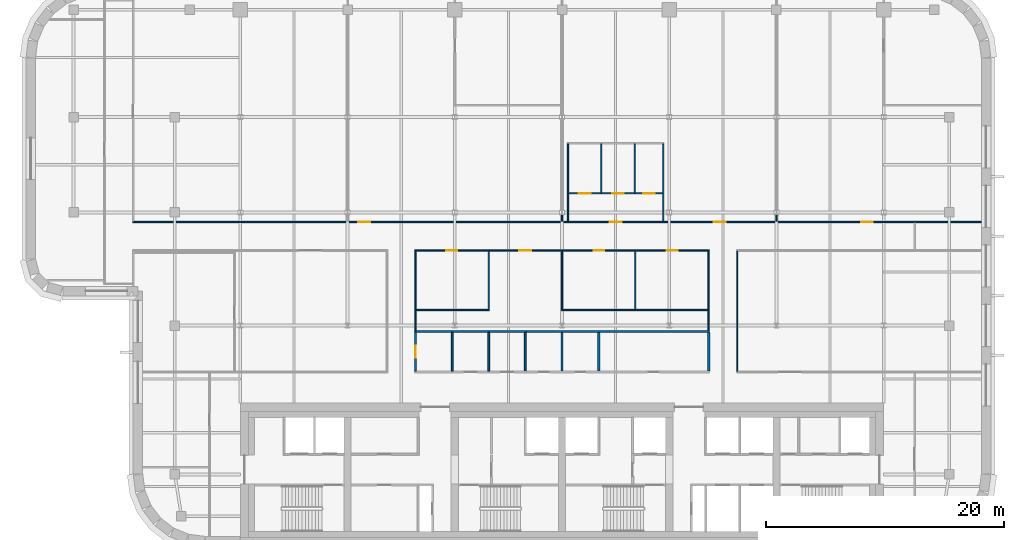
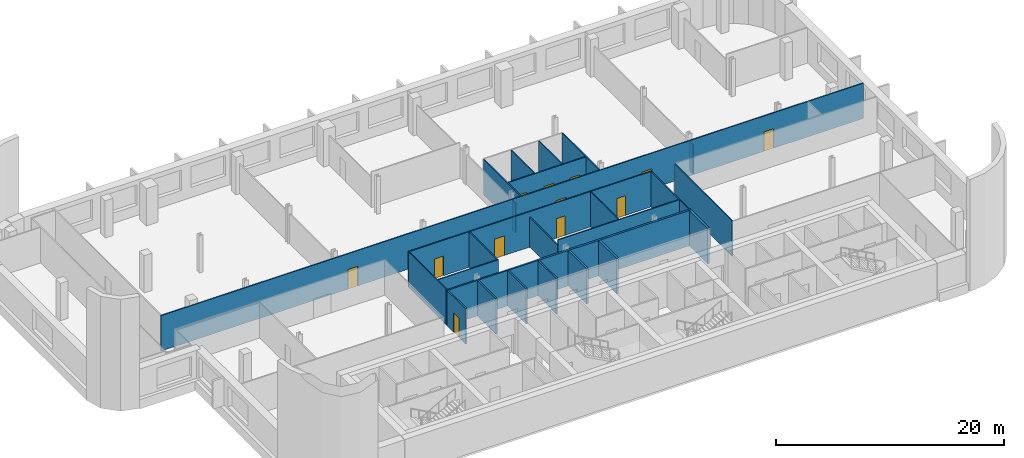
# One storey, part 9 of 16: 26 walls, 12 doors, 12 openings.
"""IFC4 building model written with IfcOpenShell, lengths in metres."""

from ifc_helpers import new_model, si_unit, direction, frame, frame_2d, origin, place, context, subcontext, project, spatial, rectangle, extrude, material, layer, layer_set, type_object, element, fill, save


model = new_model("IFC4")

# Units and contexts
model_context = context("Model", 3, precision=1e-05, world=origin(), true_north=direction((0.0, 1.0)))
body_context = subcontext(model_context, "Body", "Model", "MODEL_VIEW")
ifc_project = project(units=[si_unit("LENGTHUNIT", "METRE"), si_unit("AREAUNIT", "SQUARE_METRE"), si_unit("VOLUMEUNIT", "CUBIC_METRE"), si_unit("PLANEANGLEUNIT", "RADIAN"), si_unit("MASSUNIT", "GRAM", prefix="KILO")], contexts=[model_context])

# Site, building, storey
site_placement = place(None, origin())
site = spatial("IfcSite", under=ifc_project, at=site_placement, CompositionType="ELEMENT")
building_placement = place(site_placement, origin())
building = spatial("IfcBuilding", under=site, at=building_placement, Name="Zellij Exchange Tower", CompositionType="ELEMENT")
storey_placement = place(building_placement, frame((0.0, 0.0, 244.5)))
storey = spatial("IfcBuildingStorey", under=building, at=storey_placement, Name="L57", CompositionType="ELEMENT", Elevation=244.5)

# Walls
ifc_material_1 = material(Name="Blockwork partition", Category="masonry")
ifc_layer_1 = layer(ifc_material_1, 0.199951171875)
ifc_layer_set_1 = layer_set([ifc_layer_1], Name="Blockwork partition")
wall_type_1 = type_object("IfcWallType", Name="FIT-BLOCKWORK-200", PredefinedType="PARTITIONING", material=ifc_layer_set_1)
for number, where, z_axis, x_axis, name in (
    (1, (0.0, 0.699951171875, 0.0), (0.0, 0.0, 1.0), (0.0, 1.0, 0.0), "FIT-BLOCKWORK-200 013"),
    (2, (3.080078125, 0.699951171875, 0.0), (0.0, 0.0, 1.0), (0.0, 1.0, 0.0), "FIT-BLOCKWORK-200 014"),
    (3, (12.300048828125, 0.699951171875, 0.0), (0.0, 0.0, 1.0), (0.0, 1.0, 0.0), "FIT-BLOCKWORK-200 015"),
):
    element("IfcWall", number, at=place(storey_placement, frame(where, z_axis=z_axis, x_axis=x_axis)), inside=storey, type_object=wall_type_1, Name=name, PredefinedType="PARTITIONING", context=body_context, shape_type="SweptSolid", body=[
        extrude(rectangle(XDim=3.199951171875, YDim=0.199951171875, at=frame_2d((1.60009765625, 0.0))), origin(), (0.0, 0.0, 1.0), 3.800048828125),
    ])
wall_1_placement = place(storey_placement, frame((-3.155029296875, 4.0, 0.0), z_axis=(0.0, 0.0, 1.0), x_axis=(1.0, 0.0, 0.0)))
element("IfcWall", 4, at=wall_1_placement, inside=storey, type_object=wall_type_1, Name="FIT-BLOCKWORK-200 020", PredefinedType="PARTITIONING", context=body_context, shape_type="SweptSolid", body=[
    extrude(rectangle(XDim=15.554931640625, YDim=0.199951171875, at=frame_2d((7.77734375, 0.0))), origin(), (0.0, 0.0, 1.0), 3.800048828125),
])
ifc_material_2 = material(Name="Gypsum board partition on steel studs", Category="steel")
ifc_layer_2 = layer(ifc_material_2, 0.10009765625)
ifc_layer_set_2 = layer_set([ifc_layer_2], Name="Gypsum board partition on steel studs")
wall_type_2 = type_object("IfcWallType", Name="FIT-PARTITION-100", PredefinedType="PARTITIONING", material=ifc_layer_set_2)
wall_2_placement = place(storey_placement, frame((14.699951171875, 0.64990234375, 0.0), z_axis=(0.0, 0.0, 1.0), x_axis=(0.0, 1.0, 0.0)))
element("IfcWall", 5, at=wall_2_placement, inside=storey, type_object=wall_type_2, Name="FIT-PARTITION-100 017", PredefinedType="PARTITIONING", context=body_context, shape_type="SweptSolid", body=[
    extrude(rectangle(XDim=10.10009765625, YDim=0.10009765625, at=frame_2d((5.050048828125, 0.0))), origin(), (0.0, 0.0, 1.0), 3.800048828125),
])
wall_3_placement = place(storey_placement, frame((-12.300048828125, 4.074951171875, 0.0), z_axis=(0.0, 0.0, 1.0), x_axis=(0.0, 1.0, 0.0)))
element("IfcWall", 6, at=wall_3_placement, inside=storey, type_object=wall_type_2, Name="FIT-PARTITION-100 019", PredefinedType="PARTITIONING", context=body_context, shape_type="SweptSolid", body=[
    extrude(rectangle(XDim=6.675048828125, YDim=0.10009765625, at=frame_2d((3.33740234375, 0.0))), origin(), (0.0, 0.0, 1.0), 3.800048828125),
])
wall_4_placement = place(storey_placement, frame((12.300048828125, 4.10009765625, 0.0), z_axis=(0.0, 0.0, 1.0), x_axis=(0.0, 1.0, 0.0)))
element("IfcWall", 7, at=wall_4_placement, inside=storey, type_object=wall_type_2, Name="FIT-PARTITION-100 021", PredefinedType="PARTITIONING", context=body_context, shape_type="SweptSolid", body=[
    extrude(rectangle(XDim=6.64990234375, YDim=0.10009765625, at=frame_2d((3.324951171875, 0.0))), origin(), (0.0, 0.0, 1.0), 3.800048828125),
])
wall_5_placement = place(storey_placement, frame((-12.25, 5.800048828125, 0.0), z_axis=(0.0, 0.0, 1.0), x_axis=(1.0, 0.0, 0.0)))
element("IfcWall", 8, at=wall_5_placement, inside=storey, type_object=wall_type_2, Name="FIT-PARTITION-100 022", PredefinedType="PARTITIONING", context=body_context, shape_type="SweptSolid", body=[
    extrude(rectangle(XDim=6.14990234375, YDim=0.10009765625, at=frame_2d((3.074951171875, 0.0))), origin(), (0.0, 0.0, 1.0), 3.800048828125),
])
wall_6_placement = place(storey_placement, frame((-6.14990234375, 5.85009765625, 0.0), z_axis=(0.0, 0.0, 1.0), x_axis=(0.0, 1.0, 0.0)))
element("IfcWall", 9, at=wall_6_placement, inside=storey, type_object=wall_type_2, Name="FIT-PARTITION-100 023", PredefinedType="PARTITIONING", context=body_context, shape_type="SweptSolid", body=[
    extrude(rectangle(XDim=4.89990234375, YDim=0.10009765625, at=frame_2d((2.449951171875, 0.0))), origin(), (0.0, 0.0, 1.0), 3.800048828125),
])
wall_7_placement = place(storey_placement, frame((-0.050048828125, 5.800048828125, 0.0), z_axis=(0.0, 0.0, 1.0), x_axis=(1.0, 0.0, 0.0)))
element("IfcWall", 10, at=wall_7_placement, inside=storey, type_object=wall_type_2, Name="FIT-PARTITION-100 024", PredefinedType="PARTITIONING", context=body_context, shape_type="SweptSolid", body=[
    extrude(rectangle(XDim=12.300048828125, YDim=0.10009765625, at=frame_2d((6.14990234375, 0.0))), origin(), (0.0, 0.0, 1.0), 3.800048828125),
])
wall_8_placement = place(storey_placement, frame((0.0, 5.85009765625, 0.0), z_axis=(0.0, 0.0, 1.0), x_axis=(0.0, 1.0, 0.0)))
element("IfcWall", 11, at=wall_8_placement, inside=storey, type_object=wall_type_2, Name="FIT-PARTITION-100 025", PredefinedType="PARTITIONING", context=body_context, shape_type="SweptSolid", body=[
    extrude(rectangle(XDim=4.89990234375, YDim=0.10009765625, at=frame_2d((2.449951171875, 0.0))), origin(), (0.0, 0.0, 1.0), 3.19287109375),
])
wall_9_placement = place(storey_placement, frame((6.14990234375, 5.85009765625, 0.0), z_axis=(0.0, 0.0, 1.0), x_axis=(0.0, 1.0, 0.0)))
element("IfcWall", 12, at=wall_9_placement, inside=storey, type_object=wall_type_2, Name="FIT-PARTITION-100 026", PredefinedType="PARTITIONING", context=body_context, shape_type="SweptSolid", body=[
    extrude(rectangle(XDim=4.89990234375, YDim=0.10009765625, at=frame_2d((2.449951171875, 0.0))), origin(), (0.0, 0.0, 1.0), 3.800048828125),
])

# Wall, openings, doors
wall_10_placement = place(storey_placement, frame((-12.35009765625, 10.800048828125, 0.0), z_axis=(0.0, 0.0, 1.0), x_axis=(1.0, 0.0, 0.0)))
wall_10 = element("IfcWall", 13, at=wall_10_placement, inside=storey, type_object=wall_type_2, Name="FIT-PARTITION-100 033", PredefinedType="PARTITIONING", context=body_context, shape_type="SweptSolid", body=[
    extrude(rectangle(XDim=24.7001953125, YDim=0.10009765625, at=frame_2d((12.35009765625, 0.0))), origin(), (0.0, 0.0, 1.0), 3.800048828125),
])
opening_1_placement = place(wall_10_placement, frame((2.64990234375, 0.0, 0.0)))
opening_1 = element("IfcOpeningElement", 14, at=opening_1_placement, cuts=wall_10, Name="Opening O4D.12", PredefinedType="OPENING", context=body_context, shape_type="SweptSolid", body=[
    extrude(rectangle(XDim=0.89990234375, YDim=2.10009765625, at=frame_2d((0.449951171875, 1.050048828125))), frame((0.0, 0.06201171875, 0.0), z_axis=(0.0, -1.0, 0.0), x_axis=(1.0, 0.0, 0.0)), (0.0, 0.0, 1.0), 0.1240234375),
])
opening_2_placement = place(wall_10_placement, frame((8.75, 0.0, 0.0)))
opening_2 = element("IfcOpeningElement", 15, at=opening_2_placement, cuts=wall_10, Name="Opening O4D.13", PredefinedType="OPENING", context=body_context, shape_type="SweptSolid", body=[
    extrude(rectangle(XDim=1.0, YDim=2.10009765625, at=frame_2d((0.5, 1.050048828125))), frame((0.0, 0.06201171875, 0.0), z_axis=(0.0, -1.0, 0.0), x_axis=(1.0, 0.0, 0.0)), (0.0, 0.0, 1.0), 0.1240234375),
])
opening_3_placement = place(wall_10_placement, frame((15.0, 0.0, 0.0)))
opening_3 = element("IfcOpeningElement", 16, at=opening_3_placement, cuts=wall_10, Name="Opening O4D.14", PredefinedType="OPENING", context=body_context, shape_type="SweptSolid", body=[
    extrude(rectangle(XDim=0.89990234375, YDim=2.10009765625, at=frame_2d((0.449951171875, 1.050048828125))), frame((0.0, 0.06201171875, 0.0), z_axis=(0.0, -1.0, 0.0), x_axis=(1.0, 0.0, 0.0)), (0.0, 0.0, 1.0), 0.1240234375),
])
opening_4_placement = place(wall_10_placement, frame((21.14990234375, 0.0, 0.0)))
opening_4 = element("IfcOpeningElement", 17, at=opening_4_placement, cuts=wall_10, Name="Opening O4D.15", PredefinedType="OPENING", context=body_context, shape_type="SweptSolid", body=[
    extrude(rectangle(XDim=0.89990234375, YDim=2.10009765625, at=frame_2d((0.449951171875, 1.050048828125))), frame((0.0, 0.06201171875, 0.0), z_axis=(0.0, -1.0, 0.0), x_axis=(1.0, 0.0, 0.0)), (0.0, 0.0, 1.0), 0.1240234375),
])
ifc_material_3 = material(Name="Timber door set", Category="wood")
door_type_1 = type_object("IfcDoorType", Name="FIT-D1-ROOM-900X2100", OperationType="SINGLE_SWING_LEFT", PredefinedType="DOOR", material=ifc_material_3)
door_1_placement = place(opening_1_placement, origin())
door_1 = element("IfcDoor", 18, at=door_1_placement, inside=storey, type_object=door_type_1, Name="Door O4D.12", OperationType="SINGLE_SWING_LEFT", OverallHeight=2.10009765625, OverallWidth=0.89990234375, PredefinedType="DOOR", context=body_context, shape_type="SweptSolid", body=[
    extrude(rectangle(XDim=0.89990234375, YDim=2.10009765625, at=frame_2d((0.449951171875, 1.050048828125))), frame((0.0, 0.02490234375, 0.0), z_axis=(0.0, -1.0, 0.0), x_axis=(1.0, 0.0, 0.0)), (0.0, 0.0, 1.0), 0.050048828125),
])
fill(opening_1, door_1)
door_2_placement = place(opening_3_placement, origin())
door_2 = element("IfcDoor", 19, at=door_2_placement, inside=storey, type_object=door_type_1, Name="Door O4D.14", OperationType="SINGLE_SWING_RIGHT", OverallHeight=2.10009765625, OverallWidth=0.89990234375, PredefinedType="DOOR", context=body_context, shape_type="SweptSolid", body=[
    extrude(rectangle(XDim=0.89990234375, YDim=2.10009765625, at=frame_2d((0.449951171875, 1.050048828125))), frame((0.0, 0.02490234375, 0.0), z_axis=(0.0, -1.0, 0.0), x_axis=(1.0, 0.0, 0.0)), (0.0, 0.0, 1.0), 0.050048828125),
])
fill(opening_3, door_2)
door_3_placement = place(opening_4_placement, origin())
door_3 = element("IfcDoor", 20, at=door_3_placement, inside=storey, type_object=door_type_1, Name="Door O4D.15", OperationType="SINGLE_SWING_RIGHT", OverallHeight=2.10009765625, OverallWidth=0.89990234375, PredefinedType="DOOR", context=body_context, shape_type="SweptSolid", body=[
    extrude(rectangle(XDim=0.89990234375, YDim=2.10009765625, at=frame_2d((0.449951171875, 1.050048828125))), frame((0.0, 0.02490234375, 0.0), z_axis=(0.0, -1.0, 0.0), x_axis=(1.0, 0.0, 0.0)), (0.0, 0.0, 1.0), 0.050048828125),
])
fill(opening_4, door_3)
door_type_2 = type_object("IfcDoorType", Name="FIT-D2-WIDE-1000X2100", OperationType="SINGLE_SWING_LEFT", PredefinedType="DOOR", material=ifc_material_3)
door_4_placement = place(opening_2_placement, origin())
door_4 = element("IfcDoor", 21, at=door_4_placement, inside=storey, type_object=door_type_2, Name="Door O4D.13", OperationType="SINGLE_SWING_LEFT", OverallHeight=2.10009765625, OverallWidth=1.0, PredefinedType="DOOR", context=body_context, shape_type="SweptSolid", body=[
    extrude(rectangle(XDim=1.0, YDim=2.10009765625, at=frame_2d((0.5, 1.050048828125))), frame((0.0, 0.02490234375, 0.0), z_axis=(0.0, -1.0, 0.0), x_axis=(1.0, 0.0, 0.0)), (0.0, 0.0, 1.0), 0.050048828125),
])
fill(opening_2, door_4)

wall_11_placement = place(storey_placement, frame((-36.050048828125, 13.199951171875, 0.0), z_axis=(0.0, 0.0, 1.0), x_axis=(1.0, 0.0, 0.0)))
wall_11 = element("IfcWall", 22, at=wall_11_placement, inside=storey, type_object=wall_type_2, Name="FIT-PARTITION-100 036", PredefinedType="PARTITIONING", context=body_context, shape_type="SweptSolid", body=[
    extrude(rectangle(XDim=71.25, YDim=0.10009765625, at=frame_2d((35.625, 0.0))), origin(), (0.0, 0.0, 1.0), 3.800048828125),
])
opening_5_placement = place(wall_11_placement, frame((18.949951171875, 0.0, 0.0)))
opening_5 = element("IfcOpeningElement", 23, at=opening_5_placement, cuts=wall_11, Name="Opening O4D.16", PredefinedType="OPENING", context=body_context, shape_type="SweptSolid", body=[
    extrude(rectangle(XDim=1.0, YDim=2.10009765625, at=frame_2d((0.5, 1.050048828125))), frame((0.0, 0.06201171875, 0.0), z_axis=(0.0, -1.0, 0.0), x_axis=(1.0, 0.0, 0.0)), (0.0, 0.0, 1.0), 0.1240234375),
])
opening_6_placement = place(wall_11_placement, frame((40.050048828125, 0.0, 0.0)))
opening_6 = element("IfcOpeningElement", 24, at=opening_6_placement, cuts=wall_11, Name="Opening O4D.17", PredefinedType="OPENING", context=body_context, shape_type="SweptSolid", body=[
    extrude(rectangle(XDim=1.0, YDim=2.10009765625, at=frame_2d((0.5, 1.050048828125))), frame((0.0, 0.06201171875, 0.0), z_axis=(0.0, -1.0, 0.0), x_axis=(1.0, 0.0, 0.0)), (0.0, 0.0, 1.0), 0.1240234375),
])
opening_7_placement = place(wall_11_placement, frame((48.800048828125, 0.0, 0.0)))
opening_7 = element("IfcOpeningElement", 25, at=opening_7_placement, cuts=wall_11, Name="Opening O4D.18", PredefinedType="OPENING", context=body_context, shape_type="SweptSolid", body=[
    extrude(rectangle(XDim=1.0, YDim=2.10009765625, at=frame_2d((0.5, 1.050048828125))), frame((0.0, 0.06201171875, 0.0), z_axis=(0.0, -1.0, 0.0), x_axis=(1.0, 0.0, 0.0)), (0.0, 0.0, 1.0), 0.1240234375),
])
opening_8_placement = place(wall_11_placement, frame((61.14990234375, 0.0, 0.0)))
opening_8 = element("IfcOpeningElement", 26, at=opening_8_placement, cuts=wall_11, Name="Opening O4D.19", PredefinedType="OPENING", context=body_context, shape_type="SweptSolid", body=[
    extrude(rectangle(XDim=1.0, YDim=2.10009765625, at=frame_2d((0.5, 1.050048828125))), frame((0.0, 0.06201171875, 0.0), z_axis=(0.0, -1.0, 0.0), x_axis=(1.0, 0.0, 0.0)), (0.0, 0.0, 1.0), 0.1240234375),
])
door_5_placement = place(opening_5_placement, origin())
door_5 = element("IfcDoor", 27, at=door_5_placement, inside=storey, type_object=door_type_2, Name="Door O4D.16", OperationType="SINGLE_SWING_RIGHT", OverallHeight=2.10009765625, OverallWidth=1.0, PredefinedType="DOOR", context=body_context, shape_type="SweptSolid", body=[
    extrude(rectangle(XDim=1.0, YDim=2.10009765625, at=frame_2d((0.5, 1.050048828125))), frame((0.0, 0.02490234375, 0.0), z_axis=(0.0, -1.0, 0.0), x_axis=(1.0, 0.0, 0.0)), (0.0, 0.0, 1.0), 0.050048828125),
])
fill(opening_5, door_5)
door_6_placement = place(opening_6_placement, origin())
door_6 = element("IfcDoor", 28, at=door_6_placement, inside=storey, type_object=door_type_2, Name="Door O4D.17", OperationType="SINGLE_SWING_RIGHT", OverallHeight=2.10009765625, OverallWidth=1.0, PredefinedType="DOOR", context=body_context, shape_type="SweptSolid", body=[
    extrude(rectangle(XDim=1.0, YDim=2.10009765625, at=frame_2d((0.5, 1.050048828125))), frame((0.0, 0.02490234375, 0.0), z_axis=(0.0, -1.0, 0.0), x_axis=(1.0, 0.0, 0.0)), (0.0, 0.0, 1.0), 0.050048828125),
])
fill(opening_6, door_6)
door_7_placement = place(opening_7_placement, origin())
door_7 = element("IfcDoor", 29, at=door_7_placement, inside=storey, type_object=door_type_2, Name="Door O4D.18", OperationType="SINGLE_SWING_RIGHT", OverallHeight=2.10009765625, OverallWidth=1.0, PredefinedType="DOOR", context=body_context, shape_type="SweptSolid", body=[
    extrude(rectangle(XDim=1.0, YDim=2.10009765625, at=frame_2d((0.5, 1.050048828125))), frame((0.0, 0.02490234375, 0.0), z_axis=(0.0, -1.0, 0.0), x_axis=(1.0, 0.0, 0.0)), (0.0, 0.0, 1.0), 0.050048828125),
])
fill(opening_7, door_7)
door_8_placement = place(opening_8_placement, origin())
door_8 = element("IfcDoor", 30, at=door_8_placement, inside=storey, type_object=door_type_2, Name="Door O4D.19", OperationType="SINGLE_SWING_LEFT", OverallHeight=2.10009765625, OverallWidth=1.0, PredefinedType="DOOR", context=body_context, shape_type="SweptSolid", body=[
    extrude(rectangle(XDim=1.0, YDim=2.10009765625, at=frame_2d((0.5, 1.050048828125))), frame((0.0, 0.02490234375, 0.0), z_axis=(0.0, -1.0, 0.0), x_axis=(1.0, 0.0, 0.0)), (0.0, 0.0, 1.0), 0.050048828125),
])
fill(opening_8, door_8)

# Walls
wall_12_placement = place(storey_placement, frame((0.0, 13.25, 0.0), z_axis=(0.0, 0.0, 1.0), x_axis=(0.0, 1.0, 0.0)))
element("IfcWall", 31, at=wall_12_placement, inside=storey, type_object=wall_type_2, Name="FIT-PARTITION-100 042", PredefinedType="PARTITIONING", context=body_context, shape_type="SweptSolid", body=[
    extrude(rectangle(XDim=0.556884765625, YDim=0.10009765625, at=frame_2d((0.2783203125, 0.0))), origin(), (0.0, 0.0, 1.0), 3.19287109375),
])
for number, where, z_axis, x_axis, name in (
    (32, (0.5, 13.25, 0.0), (0.0, 0.0, 1.0), (0.0, 1.0, 0.0), "FIT-PARTITION-100 046"),
    (33, (8.5, 13.25, 0.0), (0.0, 0.0, 1.0), (0.0, 1.0, 0.0), "FIT-PARTITION-100 047"),
):
    element("IfcWall", number, at=place(storey_placement, frame(where, z_axis=z_axis, x_axis=x_axis)), inside=storey, type_object=wall_type_2, Name=name, PredefinedType="PARTITIONING", context=body_context, shape_type="SweptSolid", body=[
        extrude(rectangle(XDim=6.5, YDim=0.10009765625, at=frame_2d((3.25, 0.0))), origin(), (0.0, 0.0, 1.0), 3.800048828125),
    ])
wall_13_placement = place(storey_placement, frame((18.0, 13.25, 0.0), z_axis=(0.0, 0.0, 1.0), x_axis=(0.0, 1.0, 0.0)))
element("IfcWall", 34, at=wall_13_placement, inside=storey, type_object=wall_type_2, Name="FIT-PARTITION-100 048", PredefinedType="PARTITIONING", context=body_context, shape_type="SweptSolid", body=[
    extrude(rectangle(XDim=0.556884765625, YDim=0.10009765625, at=frame_2d((0.2783203125, 0.0))), origin(), (0.0, 0.0, 1.0), 3.19287109375),
])

# Wall, openings, doors
wall_14_placement = place(storey_placement, frame((0.550048828125, 15.60009765625, 0.0), z_axis=(0.0, 0.0, 1.0), x_axis=(1.0, 0.0, 0.0)))
wall_14 = element("IfcWall", 35, at=wall_14_placement, inside=storey, type_object=wall_type_2, Name="FIT-PARTITION-100 052", PredefinedType="PARTITIONING", context=body_context, shape_type="SweptSolid", body=[
    extrude(rectangle(XDim=7.89990234375, YDim=0.10009765625, at=frame_2d((3.949951171875, 0.0))), origin(), (0.0, 0.0, 1.0), 3.800048828125),
])
opening_9_placement = place(wall_14_placement, frame((0.85009765625, 0.0, 0.0)))
opening_9 = element("IfcOpeningElement", 36, at=opening_9_placement, cuts=wall_14, Name="Opening O4D.20", PredefinedType="OPENING", context=body_context, shape_type="SweptSolid", body=[
    extrude(rectangle(XDim=1.0, YDim=2.10009765625, at=frame_2d((0.5, 1.050048828125))), frame((0.0, 0.06201171875, 0.0), z_axis=(0.0, -1.0, 0.0), x_axis=(1.0, 0.0, 0.0)), (0.0, 0.0, 1.0), 0.1240234375),
])
opening_10_placement = place(wall_14_placement, frame((3.64990234375, 0.0, 0.0)))
opening_10 = element("IfcOpeningElement", 37, at=opening_10_placement, cuts=wall_14, Name="Opening O4D.21", PredefinedType="OPENING", context=body_context, shape_type="SweptSolid", body=[
    extrude(rectangle(XDim=1.0, YDim=2.10009765625, at=frame_2d((0.5, 1.050048828125))), frame((0.0, 0.06201171875, 0.0), z_axis=(0.0, -1.0, 0.0), x_axis=(1.0, 0.0, 0.0)), (0.0, 0.0, 1.0), 0.1240234375),
])
opening_11_placement = place(wall_14_placement, frame((6.25, 0.0, 0.0)))
opening_11 = element("IfcOpeningElement", 38, at=opening_11_placement, cuts=wall_14, Name="Opening O4D.22", PredefinedType="OPENING", context=body_context, shape_type="SweptSolid", body=[
    extrude(rectangle(XDim=1.0, YDim=2.10009765625, at=frame_2d((0.5, 1.050048828125))), frame((0.0, 0.06201171875, 0.0), z_axis=(0.0, -1.0, 0.0), x_axis=(1.0, 0.0, 0.0)), (0.0, 0.0, 1.0), 0.1240234375),
])
door_9_placement = place(opening_9_placement, origin())
door_9 = element("IfcDoor", 39, at=door_9_placement, inside=storey, type_object=door_type_2, Name="Door O4D.20", OperationType="SINGLE_SWING_RIGHT", OverallHeight=2.10009765625, OverallWidth=1.0, PredefinedType="DOOR", context=body_context, shape_type="SweptSolid", body=[
    extrude(rectangle(XDim=1.0, YDim=2.10009765625, at=frame_2d((0.5, 1.050048828125))), frame((0.0, 0.02490234375, 0.0), z_axis=(0.0, -1.0, 0.0), x_axis=(1.0, 0.0, 0.0)), (0.0, 0.0, 1.0), 0.050048828125),
])
fill(opening_9, door_9)
door_10_placement = place(opening_10_placement, origin())
door_10 = element("IfcDoor", 40, at=door_10_placement, inside=storey, type_object=door_type_2, Name="Door O4D.21", OperationType="SINGLE_SWING_LEFT", OverallHeight=2.10009765625, OverallWidth=1.0, PredefinedType="DOOR", context=body_context, shape_type="SweptSolid", body=[
    extrude(rectangle(XDim=1.0, YDim=2.10009765625, at=frame_2d((0.5, 1.050048828125))), frame((0.0, 0.02490234375, 0.0), z_axis=(0.0, -1.0, 0.0), x_axis=(1.0, 0.0, 0.0)), (0.0, 0.0, 1.0), 0.050048828125),
])
fill(opening_10, door_10)
door_11_placement = place(opening_11_placement, origin())
door_11 = element("IfcDoor", 41, at=door_11_placement, inside=storey, type_object=door_type_2, Name="Door O4D.22", OperationType="SINGLE_SWING_RIGHT", OverallHeight=2.10009765625, OverallWidth=1.0, PredefinedType="DOOR", context=body_context, shape_type="SweptSolid", body=[
    extrude(rectangle(XDim=1.0, YDim=2.10009765625, at=frame_2d((0.5, 1.050048828125))), frame((0.0, 0.02490234375, 0.0), z_axis=(0.0, -1.0, 0.0), x_axis=(1.0, 0.0, 0.0)), (0.0, 0.0, 1.0), 0.050048828125),
])
fill(opening_11, door_11)

# Walls
for number, where, z_axis, x_axis, name in (
    (42, (3.300048828125, 15.64990234375, 0.0), (0.0, 0.0, 1.0), (0.0, 1.0, 0.0), "FIT-PARTITION-100 053"),
    (43, (6.10009765625, 15.64990234375, 0.0), (0.0, 0.0, 1.0), (0.0, 1.0, 0.0), "FIT-PARTITION-100 054"),
):
    element("IfcWall", number, at=place(storey_placement, frame(where, z_axis=z_axis, x_axis=x_axis)), inside=storey, type_object=wall_type_2, Name=name, PredefinedType="PARTITIONING", context=body_context, shape_type="SweptSolid", body=[
        extrude(rectangle(XDim=4.10009765625, YDim=0.10009765625, at=frame_2d((2.050048828125, 0.0))), origin(), (0.0, 0.0, 1.0), 3.800048828125),
    ])

# Wall, opening, door
ifc_material_4 = material(Name="Gypsum board shaft-wall partition", Category="gypsum")
ifc_layer_3 = layer(ifc_material_4, 0.14990234375)
ifc_layer_set_3 = layer_set([ifc_layer_3], Name="Gypsum board shaft-wall partition")
wall_type_3 = type_object("IfcWallType", Name="FIT-PARTITION-150-EI60", PredefinedType="PARTITIONING", material=ifc_layer_set_3)
wall_15_placement = place(storey_placement, frame((-12.300048828125, 0.675048828125, 0.0), z_axis=(0.0, 0.0, 1.0), x_axis=(0.0, 1.0, 0.0)))
wall_15 = element("IfcWall", 44, at=wall_15_placement, inside=storey, type_object=wall_type_3, Name="FIT-PARTITION-150-EI60 008", PredefinedType="PARTITIONING", context=body_context, shape_type="SweptSolid", body=[
    extrude(rectangle(XDim=3.25, YDim=0.14990234375, at=frame_2d((1.625, 0.0))), origin(), (0.0, 0.0, 1.0), 3.800048828125),
])
opening_12_placement = place(wall_15_placement, frame((1.125, 0.0, 0.0)))
opening_12 = element("IfcOpeningElement", 45, at=opening_12_placement, cuts=wall_15, Name="Opening O4D.09", PredefinedType="OPENING", context=body_context, shape_type="SweptSolid", body=[
    extrude(rectangle(XDim=1.0, YDim=2.10009765625, at=frame_2d((0.5, 1.050048828125))), frame((0.0, 0.0869140625, 0.0), z_axis=(0.0, -1.0, 0.0), x_axis=(1.0, 0.0, 0.0)), (0.0, 0.0, 1.0), 0.173828125),
])
ifc_material_5 = material(Name="Steel fire door set", Category="steel")
door_type_3 = type_object("IfcDoorType", Name="FIT-D4-FIRE-1000X2100", OperationType="SINGLE_SWING_LEFT", PredefinedType="DOOR", material=ifc_material_5)
door_12_placement = place(opening_12_placement, origin())
door_12 = element("IfcDoor", 46, at=door_12_placement, inside=storey, type_object=door_type_3, Name="Door O4D.09", OperationType="SINGLE_SWING_RIGHT", OverallHeight=2.10009765625, OverallWidth=1.0, PredefinedType="DOOR", context=body_context, shape_type="SweptSolid", body=[
    extrude(rectangle(XDim=1.0, YDim=2.10009765625, at=frame_2d((0.5, 1.050048828125))), frame((0.0, 0.02490234375, 0.0), z_axis=(0.0, -1.0, 0.0), x_axis=(1.0, 0.0, 0.0)), (0.0, 0.0, 1.0), 0.050048828125),
])
fill(opening_12, door_12)

# Walls
for number, where, z_axis, x_axis, name in (
    (47, (-9.219970703125, 0.675048828125, 0.0), (0.0, 0.0, 1.0), (0.0, 1.0, 0.0), "FIT-PARTITION-150-EI60 009"),
    (48, (-6.14990234375, 0.675048828125, 0.0), (0.0, 0.0, 1.0), (0.0, 1.0, 0.0), "FIT-PARTITION-150-EI60 010"),
):
    element("IfcWall", number, at=place(storey_placement, frame(where, z_axis=z_axis, x_axis=x_axis)), inside=storey, type_object=wall_type_3, Name=name, PredefinedType="PARTITIONING", context=body_context, shape_type="SweptSolid", body=[
        extrude(rectangle(XDim=3.25, YDim=0.14990234375, at=frame_2d((1.625, 0.0))), origin(), (0.0, 0.0, 1.0), 3.800048828125),
    ])
wall_16_placement = place(storey_placement, frame((-3.080078125, 0.699951171875, 0.0), z_axis=(0.0, 0.0, 1.0), x_axis=(0.0, 1.0, 0.0)))
element("IfcWall", 49, at=wall_16_placement, inside=storey, type_object=wall_type_3, Name="FIT-PARTITION-150-EI60 012", PredefinedType="PARTITIONING", context=body_context, shape_type="SweptSolid", body=[
    extrude(rectangle(XDim=3.199951171875, YDim=0.14990234375, at=frame_2d((1.60009765625, 0.0))), origin(), (0.0, 0.0, 1.0), 3.800048828125),
])
wall_17_placement = place(storey_placement, frame((-12.375, 4.0, 0.0), z_axis=(0.0, 0.0, 1.0), x_axis=(1.0, 0.0, 0.0)))
element("IfcWall", 50, at=wall_17_placement, inside=storey, type_object=wall_type_3, Name="FIT-PARTITION-150-EI60 018", PredefinedType="PARTITIONING", context=body_context, shape_type="SweptSolid", body=[
    extrude(rectangle(XDim=9.3701171875, YDim=0.14990234375, at=frame_2d((4.68505859375, 0.0))), origin(), (0.0, 0.0, 1.0), 3.800048828125),
])

save(model, "model.ifc")
